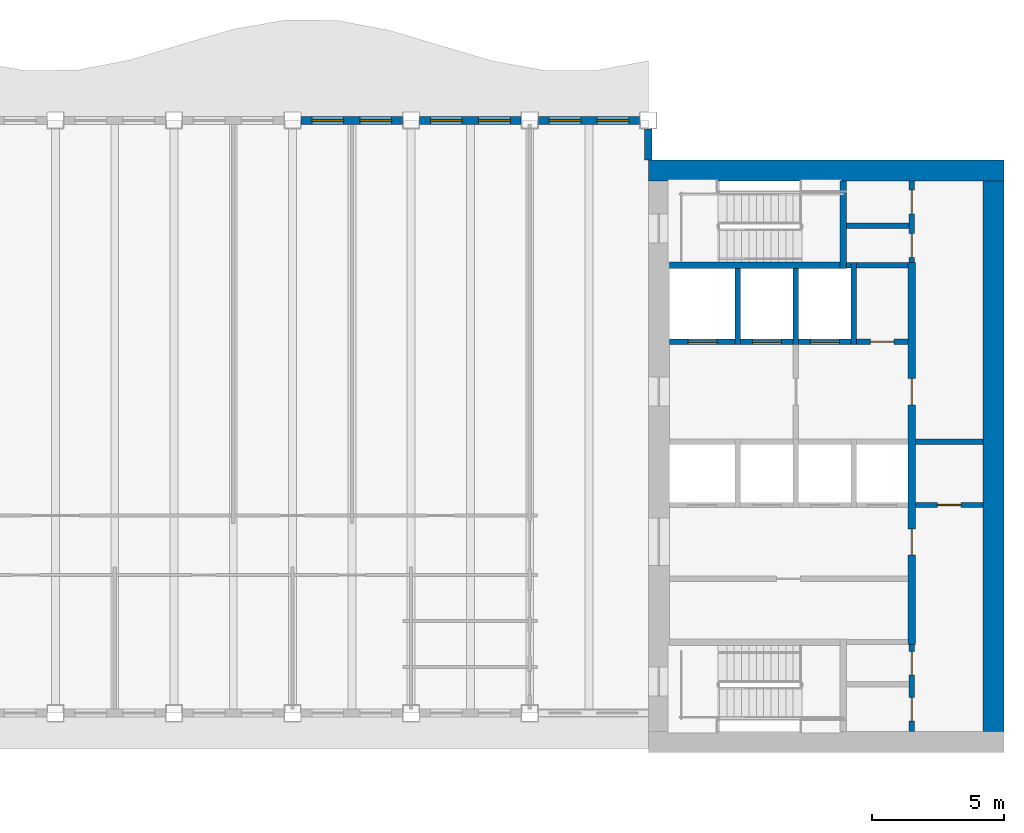
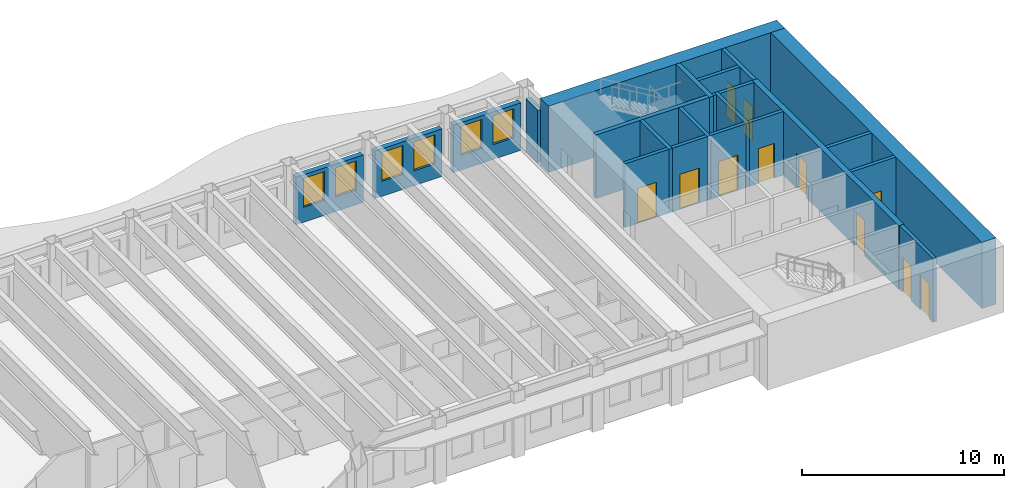
# One storey, part 6 of 12: 23 walls, 11 doors, 6 windows, 17 openings.
"""IFC4 building model written with IfcOpenShell, lengths in metres."""

from ifc_helpers import new_model, si_unit, direction, frame, frame_2d, origin, place, context, subcontext, project, spatial, rectangle, extrude, material, layer, layer_set, type_object, element, fill, save


model = new_model("IFC4")

# Units and contexts
model_context = context("Model", 3, precision=1e-05, world=origin(), true_north=direction((0.0, 1.0)))
body_context = subcontext(model_context, "Body", "Model", "MODEL_VIEW")
ifc_project = project(units=[si_unit("LENGTHUNIT", "METRE"), si_unit("AREAUNIT", "SQUARE_METRE"), si_unit("VOLUMEUNIT", "CUBIC_METRE"), si_unit("PLANEANGLEUNIT", "RADIAN"), si_unit("MASSUNIT", "GRAM", prefix="KILO")], contexts=[model_context])

# Site, building, storey
site_placement = place(None, origin())
site = spatial("IfcSite", under=ifc_project, at=site_placement, CompositionType="ELEMENT")
building_placement = place(site_placement, origin())
building = spatial("IfcBuilding", under=site, at=building_placement, Name="Sennacour Bend Tower", CompositionType="ELEMENT")
storey_placement = place(building_placement, frame((0.0, 0.0, 273.0)))
storey = spatial("IfcBuildingStorey", under=building, at=storey_placement, Name="L63", CompositionType="ELEMENT", Elevation=273.0)

# Walls
ifc_material_1 = material(Name="Concrete C50/60", Category="concrete")
ifc_layer_1 = layer(ifc_material_1, 0.800048828125, Name="Concrete C50/60", Category="concrete")
ifc_layer_set_1 = layer_set([ifc_layer_1], Name="Concrete C50/60")
wall_type_1 = type_object("IfcWallType", Name="Core wall 800 C50/60", PredefinedType="SHEAR", material=ifc_layer_set_1)
wall_1_placement = place(storey_placement, frame((54.0, 22.10009765625, -0.14990234375), z_axis=(0.0, 0.0, 1.0), x_axis=(1.0, 0.0, 0.0)))
element("IfcWall", 1, at=wall_1_placement, inside=storey, type_object=wall_type_1, Name="Core A wall L63 N", PredefinedType="SHEAR", context=body_context, shape_type="SweptSolid", body=[
    extrude(rectangle(XDim=13.5, YDim=0.800048828125, at=frame_2d((6.75, 0.0))), origin(), (0.0, 0.0, 1.0), 4.0),
])
wall_2_placement = place(storey_placement, frame((67.10009765625, 0.800048828125, -0.14990234375), z_axis=(0.0, 0.0, 1.0), x_axis=(0.0, 1.0, 0.0)))
element("IfcWall", 2, at=wall_2_placement, inside=storey, type_object=wall_type_1, Name="Core A wall L63 E", PredefinedType="SHEAR", context=body_context, shape_type="SweptSolid", body=[
    extrude(rectangle(XDim=20.89990234375, YDim=0.800048828125, at=frame_2d((10.449951171875, 0.0))), origin(), (0.0, 0.0, 1.0), 4.0),
])

# Wall, openings, doors
ifc_material_2 = material(Name="Fire-rated plasterboard partition on steel studs", Category="steel")
ifc_layer_2 = layer(ifc_material_2, 0.199951171875, Name="Fire-rated plasterboard partition on steel studs", Category="steel")
ifc_layer_set_2 = layer_set([ifc_layer_2], Name="Fire-rated plasterboard partition on steel studs")
wall_type_2 = type_object("IfcWallType", Name="Rated partition 200", PredefinedType="PARTITIONING", material=ifc_layer_set_2)
wall_3_placement = place(storey_placement, frame((64.0, 0.800048828125, 0.0), z_axis=(0.0, 0.0, 1.0), x_axis=(0.0, 1.0, 0.0)))
wall_3 = element("IfcWall", 3, at=wall_3_placement, inside=storey, type_object=wall_type_2, Name="P-L63-W029", PredefinedType="PARTITIONING", context=body_context, shape_type="SweptSolid", body=[
    extrude(rectangle(XDim=3.300048828125, YDim=0.199951171875, at=frame_2d((1.64990234375, 0.0))), origin(), (0.0, 0.0, 1.0), 3.85009765625),
])
opening_1_placement = place(wall_3_placement, frame((0.39990234375, 0.0, 0.0)))
opening_1 = element("IfcOpeningElement", 4, at=opening_1_placement, cuts=wall_3, Name="Opening SV", PredefinedType="OPENING", context=body_context, shape_type="SweptSolid", body=[
    extrude(rectangle(XDim=0.89990234375, YDim=2.10009765625, at=frame_2d((0.449951171875, 1.050048828125))), frame((0.0, 0.10986328125, 0.0), z_axis=(0.0, -1.0, 0.0), x_axis=(1.0, 0.0, 0.0)), (0.0, 0.0, 1.0), 0.219970703125),
])
opening_2_placement = place(wall_3_placement, frame((2.14990234375, 0.0, 0.0)))
opening_2 = element("IfcOpeningElement", 5, at=opening_2_placement, cuts=wall_3, Name="Opening WD", PredefinedType="OPENING", context=body_context, shape_type="SweptSolid", body=[
    extrude(rectangle(XDim=0.89990234375, YDim=2.10009765625, at=frame_2d((0.449951171875, 1.050048828125))), frame((0.0, 0.10986328125, 0.0), z_axis=(0.0, -1.0, 0.0), x_axis=(1.0, 0.0, 0.0)), (0.0, 0.0, 1.0), 0.219970703125),
])
ifc_material_3 = material(Name="Painted steel", Category="steel")
door_type_1 = type_object("IfcDoorType", Name="DR-SERVICE-900", OperationType="NOTDEFINED", PredefinedType="DOOR", material=ifc_material_3)
door_1_placement = place(opening_1_placement, origin())
door_1 = element("IfcDoor", 6, at=door_1_placement, inside=storey, type_object=door_type_1, Name="Door", OperationType="SINGLE_SWING_LEFT", OverallHeight=2.10009765625, OverallWidth=0.89990234375, PredefinedType="DOOR", context=body_context, shape_type="SweptSolid", body=[
    extrude(rectangle(XDim=0.89990234375, YDim=2.10009765625, at=frame_2d((0.449951171875, 1.050048828125))), frame((0.0, 0.02490234375, 0.0), z_axis=(0.0, -1.0, 0.0), x_axis=(1.0, 0.0, 0.0)), (0.0, 0.0, 1.0), 0.050048828125),
])
fill(opening_1, door_1)
ifc_material_4 = material(Name="Timber", Category="wood")
door_type_2 = type_object("IfcDoorType", Name="DR-WC-900", OperationType="NOTDEFINED", PredefinedType="DOOR", material=ifc_material_4)
door_2_placement = place(opening_2_placement, origin())
door_2 = element("IfcDoor", 7, at=door_2_placement, inside=storey, type_object=door_type_2, Name="Door", OperationType="SINGLE_SWING_RIGHT", OverallHeight=2.10009765625, OverallWidth=0.89990234375, PredefinedType="DOOR", context=body_context, shape_type="SweptSolid", body=[
    extrude(rectangle(XDim=0.89990234375, YDim=2.10009765625, at=frame_2d((0.449951171875, 1.050048828125))), frame((0.0, 0.02490234375, 0.0), z_axis=(0.0, -1.0, 0.0), x_axis=(1.0, 0.0, 0.0)), (0.0, 0.0, 1.0), 0.050048828125),
])
fill(opening_2, door_2)

wall_4_placement = place(storey_placement, frame((64.0, 18.60009765625, 0.0), z_axis=(0.0, 0.0, 1.0), x_axis=(0.0, 1.0, 0.0)))
wall_4 = element("IfcWall", 8, at=wall_4_placement, inside=storey, type_object=wall_type_2, Name="P-L63-W031", PredefinedType="PARTITIONING", context=body_context, shape_type="SweptSolid", body=[
    extrude(rectangle(XDim=3.099853515625, YDim=0.199951171875, at=frame_2d((1.5498046875, 0.0))), origin(), (0.0, 0.0, 1.0), 3.85009765625),
])
opening_3_placement = place(wall_4_placement, frame((0.199951171875, 0.0, 0.0)))
opening_3 = element("IfcOpeningElement", 9, at=opening_3_placement, cuts=wall_4, Name="Opening SV", PredefinedType="OPENING", context=body_context, shape_type="SweptSolid", body=[
    extrude(rectangle(XDim=0.89990234375, YDim=2.10009765625, at=frame_2d((0.449951171875, 1.050048828125))), frame((0.0, 0.10986328125, 0.0), z_axis=(0.0, -1.0, 0.0), x_axis=(1.0, 0.0, 0.0)), (0.0, 0.0, 1.0), 0.219970703125),
])
opening_4_placement = place(wall_4_placement, frame((1.849853515625, 0.0, 0.0)))
opening_4 = element("IfcOpeningElement", 10, at=opening_4_placement, cuts=wall_4, Name="Opening SV", PredefinedType="OPENING", context=body_context, shape_type="SweptSolid", body=[
    extrude(rectangle(XDim=0.89990234375, YDim=2.10009765625, at=frame_2d((0.449951171875, 1.050048828125))), frame((0.0, 0.10986328125, 0.0), z_axis=(0.0, -1.0, 0.0), x_axis=(1.0, 0.0, 0.0)), (0.0, 0.0, 1.0), 0.219970703125),
])
door_3_placement = place(opening_3_placement, origin())
door_3 = element("IfcDoor", 11, at=door_3_placement, inside=storey, type_object=door_type_1, Name="Door", OperationType="SINGLE_SWING_LEFT", OverallHeight=2.10009765625, OverallWidth=0.89990234375, PredefinedType="DOOR", context=body_context, shape_type="SweptSolid", body=[
    extrude(rectangle(XDim=0.89990234375, YDim=2.10009765625, at=frame_2d((0.449951171875, 1.050048828125))), frame((0.0, 0.02490234375, 0.0), z_axis=(0.0, -1.0, 0.0), x_axis=(1.0, 0.0, 0.0)), (0.0, 0.0, 1.0), 0.050048828125),
])
fill(opening_3, door_3)
door_4_placement = place(opening_4_placement, origin())
door_4 = element("IfcDoor", 12, at=door_4_placement, inside=storey, type_object=door_type_1, Name="Door", OperationType="SINGLE_SWING_RIGHT", OverallHeight=2.10009765625, OverallWidth=0.89990234375, PredefinedType="DOOR", context=body_context, shape_type="SweptSolid", body=[
    extrude(rectangle(XDim=0.89990234375, YDim=2.10009765625, at=frame_2d((0.449951171875, 1.050048828125))), frame((0.0, 0.02490234375, 0.0), z_axis=(0.0, -1.0, 0.0), x_axis=(1.0, 0.0, 0.0)), (0.0, 0.0, 1.0), 0.050048828125),
])
fill(opening_4, door_4)

# Wall, opening, door
wall_5_placement = place(storey_placement, frame((64.14990234375, 9.39990234375, 0.0), z_axis=(0.0, 0.0, 1.0), x_axis=(1.0, 0.0, 0.0)))
wall_5 = element("IfcWall", 13, at=wall_5_placement, inside=storey, type_object=wall_type_2, Name="P-L63-W046", PredefinedType="PARTITIONING", context=body_context, shape_type="SweptSolid", body=[
    extrude(rectangle(XDim=2.550048828125, YDim=0.199951171875, at=frame_2d((1.27490234375, 0.0))), origin(), (0.0, 0.0, 1.0), 3.85009765625),
])
opening_5_placement = place(wall_5_placement, frame((0.8251953125, 0.0, 0.0)))
opening_5 = element("IfcOpeningElement", 14, at=opening_5_placement, cuts=wall_5, Name="Opening SV", PredefinedType="OPENING", context=body_context, shape_type="SweptSolid", body=[
    extrude(rectangle(XDim=0.89990234375, YDim=2.10009765625, at=frame_2d((0.449951171875, 1.050048828125))), frame((0.0, 0.10986328125, 0.0), z_axis=(0.0, -1.0, 0.0), x_axis=(1.0, 0.0, 0.0)), (0.0, 0.0, 1.0), 0.219970703125),
])
door_5_placement = place(opening_5_placement, origin())
door_5 = element("IfcDoor", 15, at=door_5_placement, inside=storey, type_object=door_type_1, Name="Door", OperationType="SINGLE_SWING_LEFT", OverallHeight=2.10009765625, OverallWidth=0.89990234375, PredefinedType="DOOR", context=body_context, shape_type="SweptSolid", body=[
    extrude(rectangle(XDim=0.89990234375, YDim=2.10009765625, at=frame_2d((0.449951171875, 1.050048828125))), frame((0.0, 0.02490234375, 0.0), z_axis=(0.0, -1.0, 0.0), x_axis=(1.0, 0.0, 0.0)), (0.0, 0.0, 1.0), 0.050048828125),
])
fill(opening_5, door_5)

# Wall
wall_6_placement = place(storey_placement, frame((64.14990234375, 11.800048828125, 0.0), z_axis=(0.0, 0.0, 1.0), x_axis=(1.0, 0.0, 0.0)))
element("IfcWall", 16, at=wall_6_placement, inside=storey, type_object=wall_type_2, Name="P-L63-W048", PredefinedType="PARTITIONING", context=body_context, shape_type="SweptSolid", body=[
    extrude(rectangle(XDim=2.550048828125, YDim=0.199951171875, at=frame_2d((1.27490234375, 0.0))), origin(), (0.0, 0.0, 1.0), 3.85009765625),
])

# Wall, opening, door
wall_7_placement = place(storey_placement, frame((61.89990234375, 15.60009765625, 0.0), z_axis=(0.0, 0.0, 1.0), x_axis=(1.0, 0.0, 0.0)))
wall_7 = element("IfcWall", 17, at=wall_7_placement, inside=storey, type_object=wall_type_2, Name="P-L63-W050", PredefinedType="PARTITIONING", context=body_context, shape_type="SweptSolid", body=[
    extrude(rectangle(XDim=1.9501953125, YDim=0.199951171875, at=frame_2d((0.97509765625, 0.0))), origin(), (0.0, 0.0, 1.0), 3.85009765625),
])
opening_6_placement = place(wall_7_placement, frame((0.525146484375, 0.0, 0.0)))
opening_6 = element("IfcOpeningElement", 18, at=opening_6_placement, cuts=wall_7, Name="Opening SV", PredefinedType="OPENING", context=body_context, shape_type="SweptSolid", body=[
    extrude(rectangle(XDim=0.89990234375, YDim=2.10009765625, at=frame_2d((0.449951171875, 1.050048828125))), frame((0.0, 0.10986328125, 0.0), z_axis=(0.0, -1.0, 0.0), x_axis=(1.0, 0.0, 0.0)), (0.0, 0.0, 1.0), 0.219970703125),
])
door_6_placement = place(opening_6_placement, origin())
door_6 = element("IfcDoor", 19, at=door_6_placement, inside=storey, type_object=door_type_1, Name="Door", OperationType="SINGLE_SWING_LEFT", OverallHeight=2.10009765625, OverallWidth=0.89990234375, PredefinedType="DOOR", context=body_context, shape_type="SweptSolid", body=[
    extrude(rectangle(XDim=0.89990234375, YDim=2.10009765625, at=frame_2d((0.449951171875, 1.050048828125))), frame((0.0, 0.02490234375, 0.0), z_axis=(0.0, -1.0, 0.0), x_axis=(1.0, 0.0, 0.0)), (0.0, 0.0, 1.0), 0.050048828125),
])
fill(opening_6, door_6)

# Walls
wall_8_placement = place(storey_placement, frame((61.89990234375, 18.5, 0.0), z_axis=(0.0, 0.0, 1.0), x_axis=(1.0, 0.0, 0.0)))
element("IfcWall", 20, at=wall_8_placement, inside=storey, type_object=wall_type_2, Name="P-L63-W053", PredefinedType="PARTITIONING", context=body_context, shape_type="SweptSolid", body=[
    extrude(rectangle(XDim=1.9501953125, YDim=0.199951171875, at=frame_2d((0.97509765625, 0.0))), origin(), (0.0, 0.0, 1.0), 3.85009765625),
])
wall_9_placement = place(storey_placement, frame((61.52490234375, 20.0, 0.0), z_axis=(0.0, 0.0, 1.0), x_axis=(1.0, 0.0, 0.0)))
element("IfcWall", 21, at=wall_9_placement, inside=storey, type_object=wall_type_2, Name="P-L63-W054", PredefinedType="PARTITIONING", context=body_context, shape_type="SweptSolid", body=[
    extrude(rectangle(XDim=2.375, YDim=0.199951171875, at=frame_2d((1.1875, 0.0))), origin(), (0.0, 0.0, 1.0), 3.85009765625),
])
ifc_material_5 = material(Name="Warm limestone cladding", Category="masonry")
ifc_layer_3 = layer(ifc_material_5, 0.050048828125, Name="Warm limestone cladding", Category="masonry")
ifc_material_6 = material(Name="Precast concrete C40/50", Category="concrete")
ifc_layer_4 = layer(ifc_material_6, 0.25, Name="Precast concrete C40/50", Category="concrete")
ifc_layer_set_3 = layer_set([ifc_layer_3, ifc_layer_4], Name="Precast concrete C40/50 with limestone cladding")
wall_type_3 = type_object("IfcWallType", Name="STONE-CLAD PRECAST SPANDREL 300", PredefinedType="STANDARD", material=ifc_layer_set_3)
wall_10_placement = place(storey_placement, frame((54.0, 22.5, 0.0), z_axis=(0.0, 0.0, 1.0), x_axis=(0.0, 1.0, 0.0)))
element("IfcWall", 22, at=wall_10_placement, inside=storey, type_object=wall_type_3, Name="Stone spandrel and pier wall L63 06.00", PredefinedType="STANDARD", context=body_context, shape_type="SweptSolid", body=[
    extrude(rectangle(XDim=1.175048828125, YDim=0.300048828125, at=frame_2d((0.58740234375, 0.0))), origin(), (0.0, 0.0, 1.0), 3.162109375),
])

# Wall, openings, windows
wall_11_placement = place(storey_placement, frame((53.675048828125, 24.0, 0.0), z_axis=(0.0, 0.0, 1.0), x_axis=(-1.0, 0.0, 0.0)))
wall_11 = element("IfcWall", 23, at=wall_11_placement, inside=storey, type_object=wall_type_3, Name="Stone spandrel and pier wall L63 07.00", PredefinedType="STANDARD", context=body_context, shape_type="SweptSolid", body=[
    extrude(rectangle(XDim=3.85009765625, YDim=0.300048828125, at=frame_2d((1.925048828125, 0.0))), origin(), (0.0, 0.0, 1.0), 2.8701171875),
])
opening_7_placement = place(wall_11_placement, frame((0.41259765625, 0.0, 0.89990234375)))
opening_7 = element("IfcOpeningElement", 24, at=opening_7_placement, cuts=wall_11, Name="Opening W16", PredefinedType="OPENING", context=body_context, shape_type="SweptSolid", body=[
    extrude(rectangle(XDim=1.199951171875, YDim=1.75, at=frame_2d((0.60009765625, 0.875))), frame((0.0, 0.16015625, 0.0), z_axis=(0.0, -1.0, 0.0), x_axis=(1.0, 0.0, 0.0)), (0.0, 0.0, 1.0), 0.320068359375),
])
opening_8_placement = place(wall_11_placement, frame((2.237548828125, 0.0, 0.89990234375)))
opening_8 = element("IfcOpeningElement", 25, at=opening_8_placement, cuts=wall_11, Name="Opening W16", PredefinedType="OPENING", context=body_context, shape_type="SweptSolid", body=[
    extrude(rectangle(XDim=1.199951171875, YDim=1.75, at=frame_2d((0.60009765625, 0.875))), frame((0.0, 0.16015625, 0.0), z_axis=(0.0, -1.0, 0.0), x_axis=(1.0, 0.0, 0.0)), (0.0, 0.0, 1.0), 0.320068359375),
])
ifc_material_7 = material(Name="Clear low-emissivity glass", Category="glass")
window_type = type_object("IfcWindowType", Name="WIN-RIBBON-1200x1750", PartitioningType="SINGLE_PANEL", PredefinedType="WINDOW", material=ifc_material_7)
window_1_placement = place(opening_7_placement, origin())
window_1 = element("IfcWindow", 26, at=window_1_placement, inside=storey, type_object=window_type, Name="Ribbon window L63 07.00.0", OverallHeight=1.75, OverallWidth=1.199951171875, PartitioningType="SINGLE_PANEL", PredefinedType="WINDOW", context=body_context, shape_type="SweptSolid", body=[
    extrude(rectangle(XDim=1.199951171875, YDim=1.75, at=frame_2d((0.60009765625, 0.875))), frame((0.0, 0.030029296875, 0.0), z_axis=(0.0, -1.0, 0.0), x_axis=(1.0, 0.0, 0.0)), (0.0, 0.0, 1.0), 0.06005859375),
])
fill(opening_7, window_1)
window_2_placement = place(opening_8_placement, origin())
window_2 = element("IfcWindow", 27, at=window_2_placement, inside=storey, type_object=window_type, Name="Ribbon window L63 07.00.1", OverallHeight=1.75, OverallWidth=1.199951171875, PartitioningType="SINGLE_PANEL", PredefinedType="WINDOW", context=body_context, shape_type="SweptSolid", body=[
    extrude(rectangle(XDim=1.199951171875, YDim=1.75, at=frame_2d((0.60009765625, 0.875))), frame((0.0, 0.030029296875, 0.0), z_axis=(0.0, -1.0, 0.0), x_axis=(1.0, 0.0, 0.0)), (0.0, 0.0, 1.0), 0.06005859375),
])
fill(opening_8, window_2)

wall_12_placement = place(storey_placement, frame((49.175048828125, 24.0, 0.0), z_axis=(0.0, 0.0, 1.0), x_axis=(-1.0, 0.0, 0.0)))
wall_12 = element("IfcWall", 28, at=wall_12_placement, inside=storey, type_object=wall_type_3, Name="Stone spandrel and pier wall L63 07.01", PredefinedType="STANDARD", context=body_context, shape_type="SweptSolid", body=[
    extrude(rectangle(XDim=3.85009765625, YDim=0.300048828125, at=frame_2d((1.925048828125, 0.0))), origin(), (0.0, 0.0, 1.0), 2.8701171875),
])
opening_9_placement = place(wall_12_placement, frame((0.41259765625, 0.0, 0.89990234375)))
opening_9 = element("IfcOpeningElement", 29, at=opening_9_placement, cuts=wall_12, Name="Opening W16", PredefinedType="OPENING", context=body_context, shape_type="SweptSolid", body=[
    extrude(rectangle(XDim=1.199951171875, YDim=1.75, at=frame_2d((0.60009765625, 0.875))), frame((0.0, 0.16015625, 0.0), z_axis=(0.0, -1.0, 0.0), x_axis=(1.0, 0.0, 0.0)), (0.0, 0.0, 1.0), 0.320068359375),
])
opening_10_placement = place(wall_12_placement, frame((2.237548828125, 0.0, 0.89990234375)))
opening_10 = element("IfcOpeningElement", 30, at=opening_10_placement, cuts=wall_12, Name="Opening W16", PredefinedType="OPENING", context=body_context, shape_type="SweptSolid", body=[
    extrude(rectangle(XDim=1.199951171875, YDim=1.75, at=frame_2d((0.60009765625, 0.875))), frame((0.0, 0.16015625, 0.0), z_axis=(0.0, -1.0, 0.0), x_axis=(1.0, 0.0, 0.0)), (0.0, 0.0, 1.0), 0.320068359375),
])
window_3_placement = place(opening_9_placement, origin())
window_3 = element("IfcWindow", 31, at=window_3_placement, inside=storey, type_object=window_type, Name="Ribbon window L63 07.01.0", OverallHeight=1.75, OverallWidth=1.199951171875, PartitioningType="SINGLE_PANEL", PredefinedType="WINDOW", context=body_context, shape_type="SweptSolid", body=[
    extrude(rectangle(XDim=1.199951171875, YDim=1.75, at=frame_2d((0.60009765625, 0.875))), frame((0.0, 0.030029296875, 0.0), z_axis=(0.0, -1.0, 0.0), x_axis=(1.0, 0.0, 0.0)), (0.0, 0.0, 1.0), 0.06005859375),
])
fill(opening_9, window_3)
window_4_placement = place(opening_10_placement, origin())
window_4 = element("IfcWindow", 32, at=window_4_placement, inside=storey, type_object=window_type, Name="Ribbon window L63 07.01.1", OverallHeight=1.75, OverallWidth=1.199951171875, PartitioningType="SINGLE_PANEL", PredefinedType="WINDOW", context=body_context, shape_type="SweptSolid", body=[
    extrude(rectangle(XDim=1.199951171875, YDim=1.75, at=frame_2d((0.60009765625, 0.875))), frame((0.0, 0.030029296875, 0.0), z_axis=(0.0, -1.0, 0.0), x_axis=(1.0, 0.0, 0.0)), (0.0, 0.0, 1.0), 0.06005859375),
])
fill(opening_10, window_4)

wall_13_placement = place(storey_placement, frame((44.675048828125, 24.0, 0.0), z_axis=(0.0, 0.0, 1.0), x_axis=(-1.0, 0.0, 0.0)))
wall_13 = element("IfcWall", 33, at=wall_13_placement, inside=storey, type_object=wall_type_3, Name="Stone spandrel and pier wall L63 07.02", PredefinedType="STANDARD", context=body_context, shape_type="SweptSolid", body=[
    extrude(rectangle(XDim=3.85009765625, YDim=0.300048828125, at=frame_2d((1.925048828125, 0.0))), origin(), (0.0, 0.0, 1.0), 2.8701171875),
])
opening_11_placement = place(wall_13_placement, frame((0.41259765625, 0.0, 0.89990234375)))
opening_11 = element("IfcOpeningElement", 34, at=opening_11_placement, cuts=wall_13, Name="Opening W16", PredefinedType="OPENING", context=body_context, shape_type="SweptSolid", body=[
    extrude(rectangle(XDim=1.199951171875, YDim=1.75, at=frame_2d((0.60009765625, 0.875))), frame((0.0, 0.16015625, 0.0), z_axis=(0.0, -1.0, 0.0), x_axis=(1.0, 0.0, 0.0)), (0.0, 0.0, 1.0), 0.320068359375),
])
opening_12_placement = place(wall_13_placement, frame((2.237548828125, 0.0, 0.89990234375)))
opening_12 = element("IfcOpeningElement", 35, at=opening_12_placement, cuts=wall_13, Name="Opening W16", PredefinedType="OPENING", context=body_context, shape_type="SweptSolid", body=[
    extrude(rectangle(XDim=1.199951171875, YDim=1.75, at=frame_2d((0.60009765625, 0.875))), frame((0.0, 0.16015625, 0.0), z_axis=(0.0, -1.0, 0.0), x_axis=(1.0, 0.0, 0.0)), (0.0, 0.0, 1.0), 0.320068359375),
])
window_5_placement = place(opening_11_placement, origin())
window_5 = element("IfcWindow", 36, at=window_5_placement, inside=storey, type_object=window_type, Name="Ribbon window L63 07.02.0", OverallHeight=1.75, OverallWidth=1.199951171875, PartitioningType="SINGLE_PANEL", PredefinedType="WINDOW", context=body_context, shape_type="SweptSolid", body=[
    extrude(rectangle(XDim=1.199951171875, YDim=1.75, at=frame_2d((0.60009765625, 0.875))), frame((0.0, 0.030029296875, 0.0), z_axis=(0.0, -1.0, 0.0), x_axis=(1.0, 0.0, 0.0)), (0.0, 0.0, 1.0), 0.06005859375),
])
fill(opening_11, window_5)
window_6_placement = place(opening_12_placement, origin())
window_6 = element("IfcWindow", 37, at=window_6_placement, inside=storey, type_object=window_type, Name="Ribbon window L63 07.02.1", OverallHeight=1.75, OverallWidth=1.199951171875, PartitioningType="SINGLE_PANEL", PredefinedType="WINDOW", context=body_context, shape_type="SweptSolid", body=[
    extrude(rectangle(XDim=1.199951171875, YDim=1.75, at=frame_2d((0.60009765625, 0.875))), frame((0.0, 0.030029296875, 0.0), z_axis=(0.0, -1.0, 0.0), x_axis=(1.0, 0.0, 0.0)), (0.0, 0.0, 1.0), 0.06005859375),
])
fill(opening_12, window_6)

# Walls
ifc_layer_5 = layer(ifc_material_1, 0.199951171875, Name="Concrete C50/60", Category="concrete")
ifc_layer_set_4 = layer_set([ifc_layer_5], Name="Concrete C50/60")
wall_type_4 = type_object("IfcWallType", Name="Shaft wall 200", PredefinedType="SOLIDWALL", material=ifc_layer_set_4)
for number, where, z_axis, x_axis, name in (
    (38, (57.39990234375, 15.5, 0.0), (0.0, 0.0, 1.0), (0.0, 1.0, 0.0), "P-L63-W021"),
    (39, (59.60009765625, 15.5, 0.0), (0.0, 0.0, 1.0), (0.0, 1.0, 0.0), "P-L63-W024"),
):
    element("IfcWall", number, at=place(storey_placement, frame(where, z_axis=z_axis, x_axis=x_axis)), inside=storey, type_object=wall_type_4, Name=name, PredefinedType="SOLIDWALL", context=body_context, shape_type="SweptSolid", body=[
        extrude(rectangle(XDim=2.875, YDim=0.199951171875, at=frame_2d((1.4375, 0.0))), origin(), (0.0, 0.0, 1.0), 3.85009765625),
    ])
wall_14_placement = place(storey_placement, frame((61.800048828125, 15.5, 0.0), z_axis=(0.0, 0.0, 1.0), x_axis=(0.0, 1.0, 0.0)))
element("IfcWall", 40, at=wall_14_placement, inside=storey, type_object=wall_type_4, Name="P-L63-W028", PredefinedType="SOLIDWALL", context=body_context, shape_type="SweptSolid", body=[
    extrude(rectangle(XDim=3.10009765625, YDim=0.199951171875, at=frame_2d((1.550048828125, 0.0))), origin(), (0.0, 0.0, 1.0), 3.85009765625),
])

# Wall, opening, door
wall_15_placement = place(storey_placement, frame((54.800048828125, 15.60009765625, 0.0), z_axis=(0.0, 0.0, 1.0), x_axis=(1.0, 0.0, 0.0)))
wall_15 = element("IfcWall", 41, at=wall_15_placement, inside=storey, type_object=wall_type_4, Name="P-L63-W049a", PredefinedType="SOLIDWALL", context=body_context, shape_type="SweptSolid", body=[
    extrude(rectangle(XDim=2.5, YDim=0.199951171875, at=frame_2d((1.25, 0.0))), origin(), (0.0, 0.0, 1.0), 3.85009765625),
])
opening_13_placement = place(wall_15_placement, frame((0.699951171875, 0.0, 0.011962890625)))
opening_13 = element("IfcOpeningElement", 42, at=opening_13_placement, cuts=wall_15, Name="Opening FLD", PredefinedType="OPENING", context=body_context, shape_type="SweptSolid", body=[
    extrude(rectangle(XDim=1.10009765625, YDim=2.10009765625, at=frame_2d((0.550048828125, 1.050048828125))), frame((0.0, 0.10986328125, 0.0), z_axis=(0.0, -1.0, 0.0), x_axis=(1.0, 0.0, 0.0)), (0.0, 0.0, 1.0), 0.219970703125),
])
ifc_material_8 = material(Name="Stainless steel", Category="steel")
door_type_3 = type_object("IfcDoorType", Name="DR-FF-LANDING-1100", OperationType="NOTDEFINED", PredefinedType="DOOR", material=ifc_material_8)
door_7_placement = place(opening_13_placement, origin())
door_7 = element("IfcDoor", 43, at=door_7_placement, inside=storey, type_object=door_type_3, Name="Fire service lift landing door FA1", OperationType="SLIDING_TO_LEFT", OverallHeight=2.10009765625, OverallWidth=1.10009765625, PredefinedType="DOOR", context=body_context, shape_type="SweptSolid", body=[
    extrude(rectangle(XDim=1.10009765625, YDim=2.10009765625, at=frame_2d((0.550048828125, 1.050048828125))), frame((0.0, 0.02490234375, 0.0), z_axis=(0.0, -1.0, 0.0), x_axis=(1.0, 0.0, 0.0)), (0.0, 0.0, 1.0), 0.050048828125),
])
fill(opening_13, door_7)

wall_16_placement = place(storey_placement, frame((57.5, 15.60009765625, 0.0), z_axis=(0.0, 0.0, 1.0), x_axis=(1.0, 0.0, 0.0)))
wall_16 = element("IfcWall", 44, at=wall_16_placement, inside=storey, type_object=wall_type_4, Name="P-L63-W049b", PredefinedType="SOLIDWALL", context=body_context, shape_type="SweptSolid", body=[
    extrude(rectangle(XDim=2.0, YDim=0.199951171875, at=frame_2d((1.0, 0.0))), origin(), (0.0, 0.0, 1.0), 3.85009765625),
])
opening_14_placement = place(wall_16_placement, frame((0.449951171875, 0.0, 0.011962890625)))
opening_14 = element("IfcOpeningElement", 45, at=opening_14_placement, cuts=wall_16, Name="Opening FLD", PredefinedType="OPENING", context=body_context, shape_type="SweptSolid", body=[
    extrude(rectangle(XDim=1.10009765625, YDim=2.10009765625, at=frame_2d((0.550048828125, 1.050048828125))), frame((0.0, 0.10986328125, 0.0), z_axis=(0.0, -1.0, 0.0), x_axis=(1.0, 0.0, 0.0)), (0.0, 0.0, 1.0), 0.219970703125),
])
door_8_placement = place(opening_14_placement, origin())
door_8 = element("IfcDoor", 46, at=door_8_placement, inside=storey, type_object=door_type_3, Name="Fire service lift landing door FA2", OperationType="SLIDING_TO_RIGHT", OverallHeight=2.10009765625, OverallWidth=1.10009765625, PredefinedType="DOOR", context=body_context, shape_type="SweptSolid", body=[
    extrude(rectangle(XDim=1.10009765625, YDim=2.10009765625, at=frame_2d((0.550048828125, 1.050048828125))), frame((0.0, 0.02490234375, 0.0), z_axis=(0.0, -1.0, 0.0), x_axis=(1.0, 0.0, 0.0)), (0.0, 0.0, 1.0), 0.050048828125),
])
fill(opening_14, door_8)

wall_17_placement = place(storey_placement, frame((59.699951171875, 15.60009765625, 0.0), z_axis=(0.0, 0.0, 1.0), x_axis=(1.0, 0.0, 0.0)))
wall_17 = element("IfcWall", 47, at=wall_17_placement, inside=storey, type_object=wall_type_4, Name="P-L63-W049c", PredefinedType="SOLIDWALL", context=body_context, shape_type="SweptSolid", body=[
    extrude(rectangle(XDim=2.0, YDim=0.199951171875, at=frame_2d((1.0, 0.0))), origin(), (0.0, 0.0, 1.0), 3.85009765625),
])
opening_15_placement = place(wall_17_placement, frame((0.449951171875, 0.0, 0.011962890625)))
opening_15 = element("IfcOpeningElement", 48, at=opening_15_placement, cuts=wall_17, Name="Opening LD", PredefinedType="OPENING", context=body_context, shape_type="SweptSolid", body=[
    extrude(rectangle(XDim=1.10009765625, YDim=2.10009765625, at=frame_2d((0.550048828125, 1.050048828125))), frame((0.0, 0.10986328125, 0.0), z_axis=(0.0, -1.0, 0.0), x_axis=(1.0, 0.0, 0.0)), (0.0, 0.0, 1.0), 0.219970703125),
])
door_type_4 = type_object("IfcDoorType", Name="DR-LANDING-1100", OperationType="NOTDEFINED", PredefinedType="DOOR", material=ifc_material_8)
door_9_placement = place(opening_15_placement, origin())
door_9 = element("IfcDoor", 49, at=door_9_placement, inside=storey, type_object=door_type_4, Name="Lift landing door HA5", OperationType="SLIDING_TO_LEFT", OverallHeight=2.10009765625, OverallWidth=1.10009765625, PredefinedType="DOOR", context=body_context, shape_type="SweptSolid", body=[
    extrude(rectangle(XDim=1.10009765625, YDim=2.10009765625, at=frame_2d((0.550048828125, 1.050048828125))), frame((0.0, 0.02490234375, 0.0), z_axis=(0.0, -1.0, 0.0), x_axis=(1.0, 0.0, 0.0)), (0.0, 0.0, 1.0), 0.050048828125),
])
fill(opening_15, door_9)

# Wall
wall_18_placement = place(storey_placement, frame((61.52490234375, 18.5, 0.0), z_axis=(0.0, 0.0, 1.0), x_axis=(1.0, 0.0, 0.0)))
element("IfcWall", 50, at=wall_18_placement, inside=storey, type_object=wall_type_4, Name="P-L63-W052", PredefinedType="SOLIDWALL", context=body_context, shape_type="SweptSolid", body=[
    extrude(rectangle(XDim=0.175048828125, YDim=0.199951171875, at=frame_2d((0.08740234375, 0.0))), origin(), (0.0, 0.0, 1.0), 3.85009765625),
])

# Wall, openings, doors
ifc_material_9 = material(Name="Concrete C60/75", Category="concrete")
ifc_layer_6 = layer(ifc_material_9, 0.300048828125, Name="Concrete C60/75", Category="concrete")
ifc_layer_set_5 = layer_set([ifc_layer_6], Name="Concrete C60/75")
wall_type_5 = type_object("IfcWallType", Name="Spine wall 300", PredefinedType="SHEAR", material=ifc_layer_set_5)
wall_19_placement = place(storey_placement, frame((64.0, 4.10009765625, 0.0), z_axis=(0.0, 0.0, 1.0), x_axis=(0.0, 1.0, 0.0)))
wall_19 = element("IfcWall", 51, at=wall_19_placement, inside=storey, type_object=wall_type_5, Name="P-L63-W030", PredefinedType="SHEAR", context=body_context, shape_type="SweptSolid", body=[
    extrude(rectangle(XDim=14.5, YDim=0.300048828125, at=frame_2d((7.25, 0.0))), origin(), (0.0, 0.0, 1.0), 3.85009765625),
])
opening_16_placement = place(wall_19_placement, frame((3.39990234375, 0.0, 0.0)))
opening_16 = element("IfcOpeningElement", 52, at=opening_16_placement, cuts=wall_19, Name="Opening CD2", PredefinedType="OPENING", context=body_context, shape_type="SweptSolid", body=[
    extrude(rectangle(XDim=1.0, YDim=2.10009765625, at=frame_2d((0.5, 1.050048828125))), frame((0.0, 0.16015625, 0.0), z_axis=(0.0, -1.0, 0.0), x_axis=(1.0, 0.0, 0.0)), (0.0, 0.0, 1.0), 0.320068359375),
])
opening_17_placement = place(wall_19_placement, frame((9.099853515625, 0.0, 0.0)))
opening_17 = element("IfcOpeningElement", 53, at=opening_17_placement, cuts=wall_19, Name="Opening CD2", PredefinedType="OPENING", context=body_context, shape_type="SweptSolid", body=[
    extrude(rectangle(XDim=1.0, YDim=2.10009765625, at=frame_2d((0.5, 1.050048828125))), frame((0.0, 0.16015625, 0.0), z_axis=(0.0, -1.0, 0.0), x_axis=(1.0, 0.0, 0.0)), (0.0, 0.0, 1.0), 0.320068359375),
])
door_type_5 = type_object("IfcDoorType", Name="DR-LOBBY-1000", OperationType="NOTDEFINED", PredefinedType="DOOR", material=ifc_material_3)
door_10_placement = place(opening_16_placement, origin())
door_10 = element("IfcDoor", 54, at=door_10_placement, inside=storey, type_object=door_type_5, Name="Door", OperationType="SINGLE_SWING_LEFT", OverallHeight=2.10009765625, OverallWidth=1.0, PredefinedType="DOOR", context=body_context, shape_type="SweptSolid", body=[
    extrude(rectangle(XDim=1.0, YDim=2.10009765625, at=frame_2d((0.5, 1.050048828125))), frame((0.0, 0.02490234375, 0.0), z_axis=(0.0, -1.0, 0.0), x_axis=(1.0, 0.0, 0.0)), (0.0, 0.0, 1.0), 0.050048828125),
])
fill(opening_16, door_10)
door_11_placement = place(opening_17_placement, origin())
door_11 = element("IfcDoor", 55, at=door_11_placement, inside=storey, type_object=door_type_5, Name="Door", OperationType="SINGLE_SWING_RIGHT", OverallHeight=2.10009765625, OverallWidth=1.0, PredefinedType="DOOR", context=body_context, shape_type="SweptSolid", body=[
    extrude(rectangle(XDim=1.0, YDim=2.10009765625, at=frame_2d((0.5, 1.050048828125))), frame((0.0, 0.02490234375, 0.0), z_axis=(0.0, -1.0, 0.0), x_axis=(1.0, 0.0, 0.0)), (0.0, 0.0, 1.0), 0.050048828125),
])
fill(opening_17, door_11)

# Walls
ifc_layer_7 = layer(ifc_material_9, 0.25, Name="Concrete C60/75", Category="concrete")
ifc_layer_set_6 = layer_set([ifc_layer_7], Name="Concrete C60/75")
wall_type_6 = type_object("IfcWallType", Name="Stair wall 250", PredefinedType="SHEAR", material=ifc_layer_set_6)
wall_20_placement = place(storey_placement, frame((61.39990234375, 18.375, 0.0), z_axis=(0.0, 0.0, 1.0), x_axis=(0.0, 1.0, 0.0)))
element("IfcWall", 56, at=wall_20_placement, inside=storey, type_object=wall_type_6, Name="P-L63-W026", PredefinedType="SHEAR", context=body_context, shape_type="SweptSolid", body=[
    extrude(rectangle(XDim=3.324951171875, YDim=0.25, at=frame_2d((1.66259765625, 0.0))), origin(), (0.0, 0.0, 1.0), 3.85009765625),
])
wall_21_placement = place(storey_placement, frame((54.800048828125, 18.5, 0.0), z_axis=(0.0, 0.0, 1.0), x_axis=(1.0, 0.0, 0.0)))
element("IfcWall", 57, at=wall_21_placement, inside=storey, type_object=wall_type_6, Name="P-L63-W051", PredefinedType="SHEAR", context=body_context, shape_type="SweptSolid", body=[
    extrude(rectangle(XDim=6.474853515625, YDim=0.25, at=frame_2d((3.2373046875, 0.0))), origin(), (0.0, 0.0, 1.0), 3.85009765625),
])

save(model, "model.ifc")
